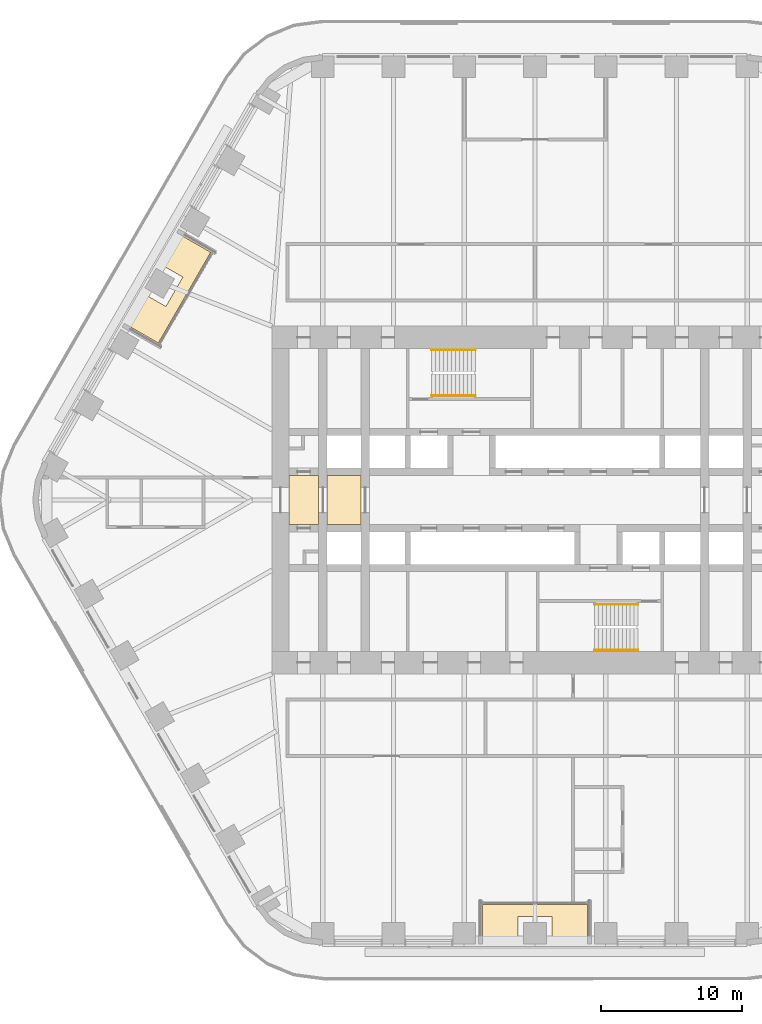
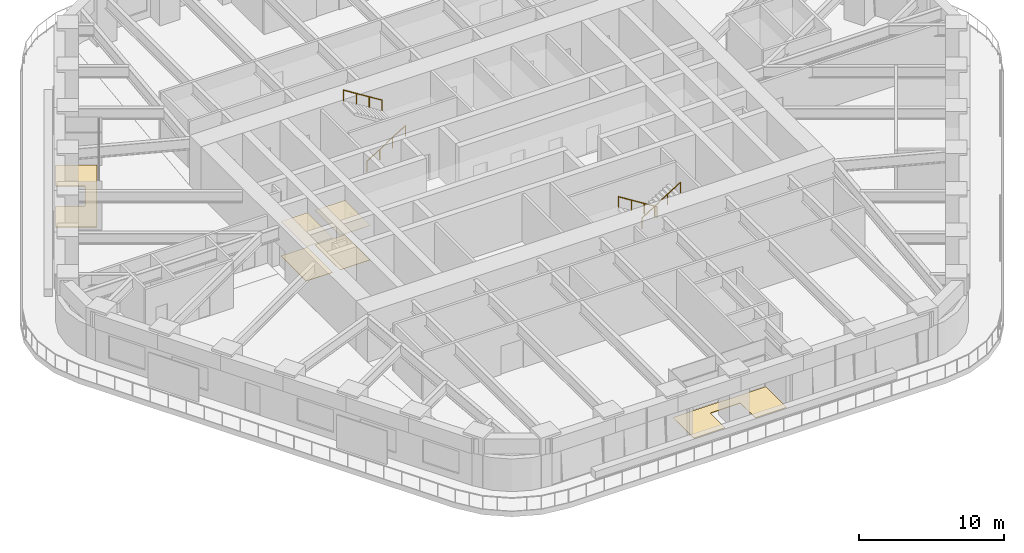
# One storey, part 22 of 24: 6 coverings, 4 railings.
"""IFC4 building model written with IfcOpenShell, lengths in metres."""

import ifcopenshell
import ifcopenshell.guid

model = None  # the IFC model being written
_history = None  # IfcOwnerHistory: only IFC2X3 demands one
_inside = {}  # id of a spatial element -> (the spatial element, [elements in it])
_under = {}  # id of a project, library or spatial element -> (it, [spatial elements below it])
_declared = {}  # id of a project -> (the project, [libraries it declares])
_typed = {}  # id of a type object -> (the type object, [elements of that type])
_made_of = {}  # id of a material, layer set ... -> (it, [elements and type objects made of it])


def new_model(schema):
    """Start an empty IFC model of exactly this schema.

    Asked for "IFC4X3", IfcOpenShell would pick the latest addendum, in which some entities
    have other attributes; the version numbers below select the first issue.
    IFC2X3 requires an IfcOwnerHistory on every rooted entity: one is made here for all.
    """
    global model, _history
    if schema == "IFC4X3":
        model = ifcopenshell.file(schema_version=(4, 3, 0, 0))
    else:
        model = ifcopenshell.file(schema=schema)
    _inside.clear()
    _under.clear()
    _declared.clear()
    _typed.clear()
    _made_of.clear()
    _history = None
    if model.schema == "IFC2X3":
        org = make("IfcOrganization", Name="unknown")
        user = make(
            "IfcPersonAndOrganization",
            ThePerson=make("IfcPerson", FamilyName="unknown"),
            TheOrganization=org,
        )
        app = make(
            "IfcApplication",
            ApplicationDeveloper=org,
            Version="unknown",
            ApplicationFullName="unknown",
            ApplicationIdentifier="unknown",
        )
        _history = make(
            "IfcOwnerHistory",
            OwningUser=user,
            OwningApplication=app,
            ChangeAction="ADDED",
            CreationDate=0,
        )
    return model


def make(cls, **values):
    """One entity of the class cls with the attributes given. An attribute that is None is left unset."""
    return model.create_entity(
        cls, **{name: value for name, value in values.items() if value is not None}
    )


def rooted(cls, **values):
    """An entity with a GlobalId (a new one), such as an element, a storey or a relation."""
    return make(cls, GlobalId=ifcopenshell.guid.new(), OwnerHistory=_history, **values)


def si_unit(unit_type, name, prefix=None):
    """IfcSIUnit, for example si_unit("LENGTHUNIT", "METRE", prefix="MILLI")."""
    return make("IfcSIUnit", UnitType=unit_type, Prefix=prefix, Name=name)


def assignment(units):
    """IfcUnitAssignment: the units of a project."""
    return None if units is None else make("IfcUnitAssignment", Units=units)


def point(xyz):
    """IfcCartesianPoint."""
    return None if xyz is None else make("IfcCartesianPoint", Coordinates=xyz)


def direction(xyz):
    """IfcDirection."""
    return None if xyz is None else make("IfcDirection", DirectionRatios=xyz)


def frame(location, z_axis=None, x_axis=None):
    """IfcAxis2Placement3D, a coordinate frame: its origin and axes. An axis left out is left unset."""
    return make(
        "IfcAxis2Placement3D",
        Location=point(location),
        Axis=direction(z_axis),
        RefDirection=direction(x_axis),
    )


def frame_2d(location, x_axis=None):
    """IfcAxis2Placement2D, a coordinate frame in the plane: its origin and x axis."""
    return make(
        "IfcAxis2Placement2D", Location=point(location), RefDirection=direction(x_axis)
    )


def origin():
    """The frame at (0, 0, 0) with its axes left unset."""
    return frame((0.0, 0.0, 0.0))


def origin_2d():
    """The frame at (0, 0) in the plane with its x axis left unset."""
    return frame_2d((0.0, 0.0))


def place(relative_to, where):
    """IfcLocalPlacement: puts the frame where relative to a parent placement (None: the world)."""
    return make(
        "IfcLocalPlacement", PlacementRelTo=relative_to, RelativePlacement=where
    )


def context(
    kind, dimensions, precision=None, world=None, true_north=None, identifier=None
):
    """IfcGeometricRepresentationContext, for example the 3D "Model" context."""
    return make(
        "IfcGeometricRepresentationContext",
        ContextIdentifier=identifier,
        ContextType=kind,
        CoordinateSpaceDimension=dimensions,
        Precision=precision,
        WorldCoordinateSystem=world,
        TrueNorth=true_north,
    )


def subcontext(parent, identifier, kind, view, scale=None):
    """IfcGeometricRepresentationSubContext, for example "Body" below "Model"."""
    return make(
        "IfcGeometricRepresentationSubContext",
        ContextIdentifier=identifier,
        ContextType=kind,
        ParentContext=parent,
        TargetScale=scale,
        TargetView=view,
    )


def project(units=None, contexts=None):
    """IfcProject with its units and contexts."""
    return rooted(
        "IfcProject",
        Name="project",
        RepresentationContexts=contexts,
        UnitsInContext=assignment(units),
    )


def spatial(cls, under=None, at=None, **own):
    """A site, building, storey or space (cls), placed at a placement, below another one or the project."""
    s = rooted(cls, ObjectPlacement=at, **own)
    if under is not None:
        _under.setdefault(under.id(), (under, []))[1].append(s)
    return s


def polyline(points):
    """IfcPolyline through the points."""
    return make("IfcPolyline", Points=[point(p) for p in points])


def profile(cls, at=None, kind="AREA", **sizes):
    """A parametric profile (cls). Its sizes go by their IFC names, for example OverallWidth=200.0."""
    return make(cls, ProfileType=kind, Position=at, **sizes)


def circle(**sizes):
    """IfcCircleProfileDef."""
    return profile("IfcCircleProfileDef", **sizes)


def outline(outer, holes=None, kind="AREA"):
    """IfcArbitraryClosedProfileDef: a profile drawn as a closed curve; with holes, ...WithVoids."""
    if holes is None:
        return make("IfcArbitraryClosedProfileDef", ProfileType=kind, OuterCurve=outer)
    return make(
        "IfcArbitraryProfileDefWithVoids",
        ProfileType=kind,
        OuterCurve=outer,
        InnerCurves=holes,
    )


def extrude(swept, where, along, depth):
    """IfcExtrudedAreaSolid: the profile swept, set in the frame where, extruded along a direction by depth."""
    return make(
        "IfcExtrudedAreaSolid",
        SweptArea=swept,
        Position=where,
        ExtrudedDirection=direction(along),
        Depth=depth,
    )


def shape(context_of_items, identifier, shape_type, items):
    """IfcShapeRepresentation: the items that make up one representation, for example the "Body"."""
    return make(
        "IfcShapeRepresentation",
        ContextOfItems=context_of_items,
        RepresentationIdentifier=identifier,
        RepresentationType=shape_type,
        Items=items,
    )


def material(Name=None, Category=None):
    """IfcMaterial."""
    return make("IfcMaterial", Name=Name, Category=Category)


def layer(
    of_material, thickness, ventilated=None, Name=None, Category=None, Priority=None
):
    """IfcMaterialLayer: one layer of a wall or slab, of a material (None: an air gap)."""
    return make(
        "IfcMaterialLayer",
        Material=of_material,
        LayerThickness=thickness,
        IsVentilated=ventilated,
        Name=Name,
        Category=Category,
        Priority=Priority,
    )


def layer_set(layers, Name=None):
    """IfcMaterialLayerSet."""
    return make("IfcMaterialLayerSet", MaterialLayers=layers, LayerSetName=Name)


def made_of(thing, what):
    """Note that an element or type object is made of a material, layer set ...; save() writes the relation."""
    if what is not None:
        _made_of.setdefault(what.id(), (what, []))[1].append(thing)
    return thing


def type_object(cls, material=None, **own):
    """A type object (cls), such as IfcWallType, which elements share."""
    return made_of(rooted(cls, **own), material)


def element(
    cls,
    number,
    at=None,
    inside=None,
    cuts=None,
    type_object=None,
    material=None,
    context=None,
    identifier="Body",
    shape_type=None,
    held_by="IfcProductDefinitionShape",
    body=None,
    shapes=None,
    **own,
):
    """One element of the class cls, such as IfcWall. Its Tag is "e" and its number.

    at: its placement. inside: the storey or other place that contains it. cuts: it is an
    opening in that element (IfcRelVoidsElement). A single representation is given by context,
    identifier, shape_type and body (its items); several are given by shapes. held_by: the class
    of the entity that holds the representations. save() writes the other relations.
    """
    e = rooted(cls, Tag="e%d" % number, ObjectPlacement=at, **own)
    if body is not None:
        shapes = [shape(context, identifier, shape_type, body)]
    if shapes is not None:
        e.Representation = make(held_by, Representations=shapes)
    if inside is not None:
        _inside.setdefault(inside.id(), (inside, []))[1].append(e)
    if cuts is not None:
        rooted(
            "IfcRelVoidsElement", RelatingBuildingElement=cuts, RelatedOpeningElement=e
        )
    if type_object is not None:
        _typed.setdefault(type_object.id(), (type_object, []))[1].append(e)
    return made_of(e, material)


def aggregate(whole, parts):
    """IfcRelAggregates: a whole, such as a stair, and the parts it consists of."""
    return rooted("IfcRelAggregates", RelatingObject=whole, RelatedObjects=parts)


def save(model, path):
    """Write the relations noted so far, then the file.

    IfcRelAggregates (storeys below a building ...), IfcRelContainedInSpatialStructure (elements
    in a storey), IfcRelDefinesByType, IfcRelAssociatesMaterial and IfcRelDeclares: one each for
    every whole, place, type object, material and project.
    """
    for whole, parts in _under.values():
        aggregate(whole, parts)
    for where, things in _inside.values():
        rooted(
            "IfcRelContainedInSpatialStructure",
            RelatedElements=things,
            RelatingStructure=where,
        )
    for kind, things in _typed.values():
        rooted("IfcRelDefinesByType", RelatedObjects=things, RelatingType=kind)
    for what, things in _made_of.values():
        rooted("IfcRelAssociatesMaterial", RelatedObjects=things, RelatingMaterial=what)
    for by, libraries in _declared.values():
        rooted("IfcRelDeclares", RelatingContext=by, RelatedDefinitions=libraries)
    model.write(path)


model = new_model("IFC4")

# Units and contexts
model_context = context("Model", 3, precision=1e-05, world=origin(), true_north=direction((0.0, 1.0)))
body_context = subcontext(model_context, "Body", "Model", "MODEL_VIEW")
ifc_project = project(units=[si_unit("LENGTHUNIT", "METRE"), si_unit("AREAUNIT", "SQUARE_METRE"), si_unit("VOLUMEUNIT", "CUBIC_METRE"), si_unit("PLANEANGLEUNIT", "RADIAN"), si_unit("MASSUNIT", "GRAM", prefix="KILO")], contexts=[model_context])

# Site, building, storey
site_placement = place(None, origin())
site = spatial("IfcSite", under=ifc_project, at=site_placement, CompositionType="ELEMENT")
building_placement = place(site_placement, origin())
building = spatial("IfcBuilding", under=site, at=building_placement, Name="Tarfa Lantern Tower", CompositionType="ELEMENT")
storey_placement = place(building_placement, frame((0.0, 0.0, 153.10009765625)))
storey = spatial("IfcBuildingStorey", under=building, at=storey_placement, Name="L34", CompositionType="ELEMENT", Elevation=153.10009765625)

# Coverings
ifc_material_1 = material(Name="Powder-coated aluminium panel", Category="aluminium")
ifc_layer_1 = layer(ifc_material_1, 0.030029296875)
ifc_layer_set_1 = layer_set([ifc_layer_1], Name="CL3 METAL PANEL CEILING 30")
covering_type_1 = type_object("IfcCoveringType", Name="CL3 METAL PANEL CEILING 30", PredefinedType="CEILING", material=ifc_layer_set_1)
covering_1_placement = place(storey_placement, frame((0.0, 0.0, 2.89990234375)))
element("IfcCovering", 1, at=covering_1_placement, inside=storey, type_object=covering_type_1, Name="Ceiling L34-01", PredefinedType="CEILING", context=body_context, shape_type="SweptSolid", body=[
    extrude(outline(polyline([(-17.39990234375, -1.75), (-15.300048828125, -1.75), (-15.300048828125, 1.75), (-17.39990234375, 1.75), (-17.39990234375, -1.75)])), origin(), (0.0, 0.0, 1.0), 0.030029296875),
])
covering_2_placement = place(storey_placement, frame((0.0, 0.0, 2.89990234375)))
element("IfcCovering", 2, at=covering_2_placement, inside=storey, type_object=covering_type_1, Name="Ceiling L34-02", PredefinedType="CEILING", context=body_context, shape_type="SweptSolid", body=[
    extrude(outline(polyline([(-14.699951171875, -1.75), (-12.300048828125, -1.75), (-12.300048828125, 1.75), (-14.699951171875, 1.75), (-14.699951171875, -1.75)])), origin(), (0.0, 0.0, 1.0), 0.030029296875),
])
ifc_material_2 = material(Name="Honed limestone flooring", Category="masonry")
ifc_layer_2 = layer(ifc_material_2, 0.030029296875)
ifc_layer_set_2 = layer_set([ifc_layer_2], Name="FL2 STONE FLOORING 30")
covering_type_2 = type_object("IfcCoveringType", Name="FL2 STONE FLOORING 30", PredefinedType="FLOORING", material=ifc_layer_set_2)
covering_3_placement = place(storey_placement, origin())
element("IfcCovering", 3, at=covering_3_placement, inside=storey, type_object=covering_type_2, Name="Floor finish L34-01", PredefinedType="FLOORING", context=body_context, shape_type="SweptSolid", body=[
    extrude(outline(polyline([(-17.39990234375, -1.75), (-15.300048828125, -1.75), (-15.300048828125, 1.75), (-17.39990234375, 1.75), (-17.39990234375, -1.75)])), origin(), (0.0, 0.0, 1.0), 0.02978515625),
])
covering_4_placement = place(storey_placement, origin())
element("IfcCovering", 4, at=covering_4_placement, inside=storey, type_object=covering_type_2, Name="Floor finish L34-02", PredefinedType="FLOORING", context=body_context, shape_type="SweptSolid", body=[
    extrude(outline(polyline([(-14.699951171875, -1.75), (-12.300048828125, -1.75), (-12.300048828125, 1.75), (-14.699951171875, 1.75), (-14.699951171875, -1.75)])), origin(), (0.0, 0.0, 1.0), 0.02978515625),
])

# Railings
ifc_material_3 = material(Name="Stainless steel", Category="steel")
railing_type = type_object("IfcRailingType", Name="HR1 HANDRAIL 900", PredefinedType="HANDRAIL", material=ifc_material_3)
railing_1_placement = place(storey_placement, frame((-7.300048828125, 7.3798828125, 0.1748046875)))
element("IfcRailing", 5, at=railing_1_placement, inside=storey, type_object=railing_type, Name="Handrail 1", PredefinedType="HANDRAIL", context=body_context, shape_type="SweptSolid", body=[
    extrude(circle(Radius=0.02392578125, at=origin_2d()), frame((0.0, 0.0, 0.8759765625), z_axis=(0.847998304005, 0.0, 0.529998940003), x_axis=(0.0, 1.0, 0.0)), (0.0, 0.0, 1.0), 3.632080078125),
    extrude(circle(Radius=0.02099609375, at=origin_2d()), frame((0.0, 0.0, 0.0), z_axis=(0.0, 0.0, 1.0), x_axis=(0.0, 1.0, 0.0)), (0.0, 0.0, 1.0), 0.851806640625),
    extrude(circle(Radius=0.02099609375, at=origin_2d()), frame((1.026611328125, 0.0, 0.6416015625), z_axis=(0.0, 0.0, 1.0), x_axis=(0.0, 1.0, 0.0)), (0.0, 0.0, 1.0), 0.851806640625),
    extrude(circle(Radius=0.02099609375, at=origin_2d()), frame((2.053466796875, 0.0, 1.283447265625), z_axis=(0.0, 0.0, 1.0), x_axis=(0.0, 1.0, 0.0)), (0.0, 0.0, 1.0), 0.851806640625),
    extrude(circle(Radius=0.02099609375, at=origin_2d()), frame((3.080078125, 0.0, 1.925048828125), z_axis=(0.0, 0.0, 1.0), x_axis=(0.0, 1.0, 0.0)), (0.0, 0.0, 1.0), 0.851806640625),
])
for number, where, name in (
    (6, (-4.219970703125, 10.6201171875, 2.27490234375), "Handrail 2"),
    (7, (7.300048828125, -7.3798828125, 0.1748046875), "Handrail 1"),
):
    element("IfcRailing", number, at=place(storey_placement, frame(where)), inside=storey, type_object=railing_type, Name=name, PredefinedType="HANDRAIL", context=body_context, shape_type="SweptSolid", body=[
        extrude(circle(Radius=0.02392578125, at=origin_2d()), frame((0.0, 0.0, 0.8759765625), z_axis=(-0.847998304005, 0.0, 0.529998940003), x_axis=(0.0, -1.0, 0.0)), (0.0, 0.0, 1.0), 3.632080078125),
        extrude(circle(Radius=0.02099609375, at=origin_2d()), frame((0.0, 0.0, 0.0), z_axis=(0.0, 0.0, 1.0), x_axis=(0.0, -1.0, 0.0)), (0.0, 0.0, 1.0), 0.851806640625),
        extrude(circle(Radius=0.02099609375, at=origin_2d()), frame((-1.026611328125, 0.0, 0.6416015625), z_axis=(0.0, 0.0, 1.0), x_axis=(0.0, -1.0, 0.0)), (0.0, 0.0, 1.0), 0.851806640625),
        extrude(circle(Radius=0.02099609375, at=origin_2d()), frame((-2.053466796875, 0.0, 1.283447265625), z_axis=(0.0, 0.0, 1.0), x_axis=(0.0, -1.0, 0.0)), (0.0, 0.0, 1.0), 0.851806640625),
        extrude(circle(Radius=0.02099609375, at=origin_2d()), frame((-3.080078125, 0.0, 1.925048828125), z_axis=(0.0, 0.0, 1.0), x_axis=(0.0, -1.0, 0.0)), (0.0, 0.0, 1.0), 0.851806640625),
    ])
railing_2_placement = place(storey_placement, frame((4.219970703125, -10.6201171875, 2.27490234375)))
element("IfcRailing", 8, at=railing_2_placement, inside=storey, type_object=railing_type, Name="Handrail 2", PredefinedType="HANDRAIL", context=body_context, shape_type="SweptSolid", body=[
    extrude(circle(Radius=0.02392578125, at=origin_2d()), frame((0.0, 0.0, 0.8759765625), z_axis=(0.847998304005, 0.0, 0.529998940003), x_axis=(0.0, 1.0, 0.0)), (0.0, 0.0, 1.0), 3.632080078125),
    extrude(circle(Radius=0.02099609375, at=origin_2d()), frame((0.0, 0.0, 0.0), z_axis=(0.0, 0.0, 1.0), x_axis=(0.0, 1.0, 0.0)), (0.0, 0.0, 1.0), 0.851806640625),
    extrude(circle(Radius=0.02099609375, at=origin_2d()), frame((1.026611328125, 0.0, 0.6416015625), z_axis=(0.0, 0.0, 1.0), x_axis=(0.0, 1.0, 0.0)), (0.0, 0.0, 1.0), 0.851806640625),
    extrude(circle(Radius=0.02099609375, at=origin_2d()), frame((2.053466796875, 0.0, 1.283447265625), z_axis=(0.0, 0.0, 1.0), x_axis=(0.0, 1.0, 0.0)), (0.0, 0.0, 1.0), 0.851806640625),
    extrude(circle(Radius=0.02099609375, at=origin_2d()), frame((3.080078125, 0.0, 1.925048828125), z_axis=(0.0, 0.0, 1.0), x_axis=(0.0, 1.0, 0.0)), (0.0, 0.0, 1.0), 0.851806640625),
])

# Coverings
ifc_material_4 = material(Name="Porcelain pavers on pedestals", Category="ceramic")
ifc_layer_3 = layer(ifc_material_4, 0.0400390625)
ifc_layer_set_3 = layer_set([ifc_layer_3], Name="LP1 LOGGIA PAVING 40")
covering_type_3 = type_object("IfcCoveringType", Name="LP1 LOGGIA PAVING 40", PredefinedType="FLOORING", material=ifc_layer_set_3)
covering_5_placement = place(storey_placement, origin())
element("IfcCovering", 9, at=covering_5_placement, inside=storey, type_object=covering_type_3, Name="Loggia paving NW", PredefinedType="FLOORING", context=body_context, shape_type="SweptSolid", body=[
    extrude(outline(polyline([(-25.427978515625, 18.95751953125), (-22.933837890625, 17.517578125), (-26.637451171875, 11.1025390625), (-29.131591796875, 12.54248046875), (-27.8798828125, 14.710693359375), (-26.1044921875, 13.685791015625), (-24.904541015625, 15.76416015625), (-26.6796875, 16.789306640625), (-25.427978515625, 18.95751953125)])), origin(), (0.0, 0.0, 1.0), 0.039794921875),
])
covering_6_placement = place(storey_placement, origin())
element("IfcCovering", 10, at=covering_6_placement, inside=storey, type_object=covering_type_3, Name="Loggia paving S", PredefinedType="FLOORING", context=body_context, shape_type="SweptSolid", body=[
    extrude(outline(polyline([(-3.70361328125, -31.5), (-3.70361328125, -28.6201171875), (3.70361328125, -28.6201171875), (3.70361328125, -31.5), (1.199951171875, -31.5), (1.199951171875, -29.449951171875), (-1.199951171875, -29.449951171875), (-1.199951171875, -31.5), (-3.70361328125, -31.5)])), origin(), (0.0, 0.0, 1.0), 0.039794921875),
])

save(model, "model.ifc")
